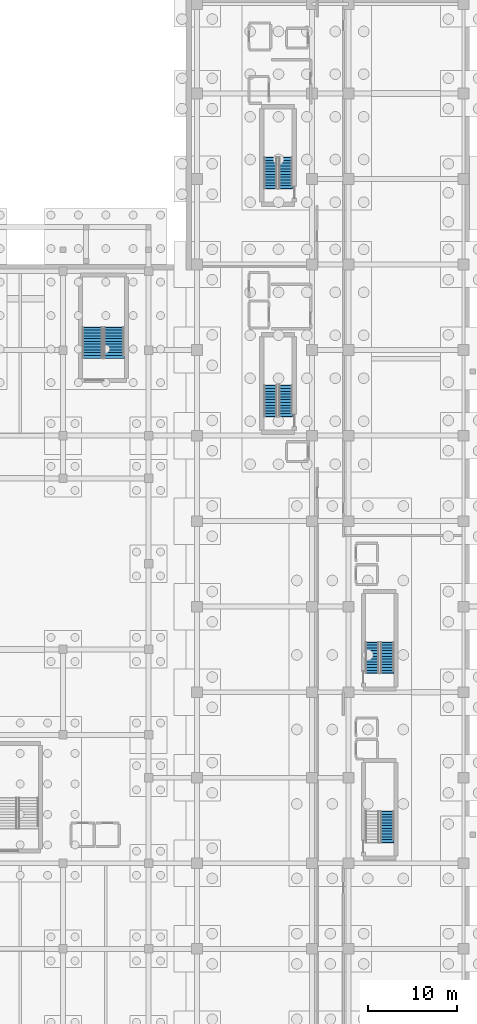
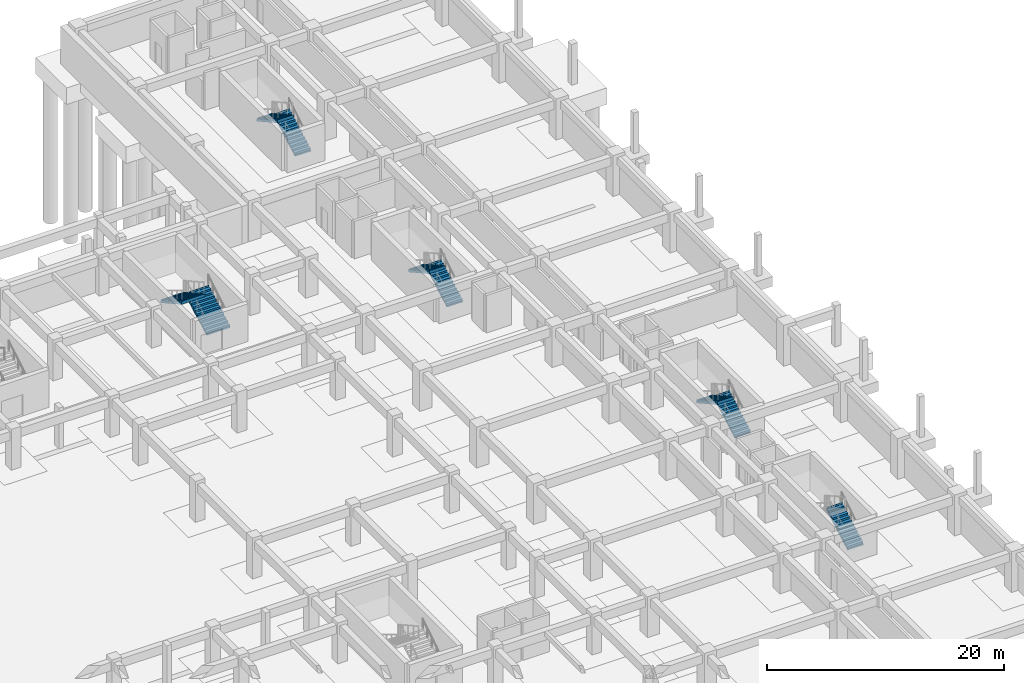
# One storey, part 25 of 39: 9 stair flights, 5 elements without a shape of their own.
"""IFC4 building model written with IfcOpenShell, lengths in metres."""

from ifc_helpers import new_model, si_unit, direction, frame, origin, place, context, subcontext, project, spatial, polyline, outline, extrude, material, layer, layer_set, type_object, element, aggregate, save


model = new_model("IFC4")

# Units and contexts
model_context = context("Model", 3, precision=1e-05, world=origin(), true_north=direction((0.0, 1.0)))
body_context = subcontext(model_context, "Body", "Model", "MODEL_VIEW")
ifc_project = project(units=[si_unit("LENGTHUNIT", "METRE"), si_unit("AREAUNIT", "SQUARE_METRE"), si_unit("VOLUMEUNIT", "CUBIC_METRE"), si_unit("PLANEANGLEUNIT", "RADIAN"), si_unit("MASSUNIT", "GRAM", prefix="KILO")], contexts=[model_context])

# Site, building, storey
site_placement = place(None, origin())
site = spatial("IfcSite", under=ifc_project, at=site_placement, CompositionType="ELEMENT")
building_placement = place(site_placement, origin())
building = spatial("IfcBuilding", under=site, at=building_placement, Name="Nakhvara Creek Congress Hotel", CompositionType="ELEMENT")
storey_placement = place(building_placement, frame((0.0, 0.0, -8.39990234375)))
storey = spatial("IfcBuildingStorey", under=building, at=storey_placement, Name="B2", CompositionType="ELEMENT", Elevation=-8.39990234375)

# Stair, stair flights
ifc_material = material(Name="Concrete C40/50", Category="concrete")
stair_type_1 = type_object("IfcStairType", Name="ST-CORE-160", PredefinedType="HALF_TURN_STAIR", material=ifc_material)
stair_1_placement = place(storey_placement, origin())
stair_1 = element("IfcStair", 1, at=stair_1_placement, inside=storey, type_object=stair_type_1, Name="B2 Protected Exit Stair ST01", PredefinedType="HALF_TURN_STAIR")
ifc_layer_1 = layer(ifc_material, 0.18994140625)
ifc_layer_set_1 = layer_set([ifc_layer_1], Name="Concrete C40/50")
stair_flight_type_1 = type_object("IfcStairFlightType", Name="SFL-RC-160", PredefinedType="STRAIGHT", material=ifc_layer_set_1)
stair_flight_1_placement = place(storey_placement, frame((159.3798828125, 78.93994140625, 0.0), z_axis=(0.0, 0.0, 1.0), x_axis=(0.0, 1.0, 0.0)))
stair_flight_1 = element("IfcStairFlight", 2, at=stair_flight_1_placement, type_object=stair_flight_type_1, Name="ST01 flight 1", NumberOfRisers=12, NumberOfTreads=11, PredefinedType="STRAIGHT", RiserHeight=0.175, TreadLength=0.315, context=body_context, shape_type="SweptSolid", body=[
    extrude(outline(polyline([(-0.048095703125, 0.0), (0.0, 0.0), (0.0, 0.175048828125), (0.31494140625, 0.175048828125), (0.31494140625, 0.35009765625), (0.6298828125, 0.35009765625), (0.6298828125, 0.52490234375), (0.945068359375, 0.52490234375), (0.945068359375, 0.699951171875), (1.260009765625, 0.699951171875), (1.260009765625, 0.875), (1.574951171875, 0.875), (1.574951171875, 1.050048828125), (1.889892578125, 1.050048828125), (1.889892578125, 1.22509765625), (2.205078125, 1.22509765625), (2.205078125, 1.39990234375), (2.52001953125, 1.39990234375), (2.52001953125, 1.574951171875), (2.8349609375, 1.574951171875), (2.8349609375, 1.75), (3.14990234375, 1.75), (3.14990234375, 1.925048828125), (3.465087890625, 1.925048828125), (3.465087890625, 2.10009765625), (3.51318359375, 2.10009765625), (3.51318359375, 1.9501953125), (3.465087890625, 1.75341796875), (0.038818359375, -0.14990234375), (-0.048095703125, -0.14990234375), (-0.048095703125, 0.0)])), frame((0.0, 0.77001953125, 0.0), z_axis=(0.0, -1.0, 0.0), x_axis=(1.0, 0.0, 0.0)), (0.0, 0.0, 1.0), 1.5400390625),
])
stair_flight_2_placement = place(storey_placement, frame((157.68994140625, 82.405029296875, 2.099853515625), z_axis=(0.0, 0.0, 1.0), x_axis=(0.0, -1.0, 0.0)))
stair_flight_2 = element("IfcStairFlight", 3, at=stair_flight_2_placement, type_object=stair_flight_type_1, Name="ST01 flight 2", NumberOfRisers=12, NumberOfTreads=11, PredefinedType="STRAIGHT", RiserHeight=0.175, TreadLength=0.315, context=body_context, shape_type="SweptSolid", body=[
    extrude(outline(polyline([(-0.048095703125, 0.0), (0.0, 0.0), (0.0, 0.175048828125), (0.31494140625, 0.175048828125), (0.31494140625, 0.35009765625), (0.6298828125, 0.35009765625), (0.6298828125, 0.52490234375), (0.945068359375, 0.52490234375), (0.945068359375, 0.699951171875), (1.260009765625, 0.699951171875), (1.260009765625, 0.875), (1.574951171875, 0.875), (1.574951171875, 1.050048828125), (1.889892578125, 1.050048828125), (1.889892578125, 1.22509765625), (2.205078125, 1.22509765625), (2.205078125, 1.39990234375), (2.52001953125, 1.39990234375), (2.52001953125, 1.574951171875), (2.8349609375, 1.574951171875), (2.8349609375, 1.75), (3.14990234375, 1.75), (3.14990234375, 1.925048828125), (3.465087890625, 1.925048828125), (3.465087890625, 2.10009765625), (3.51318359375, 2.10009765625), (3.51318359375, 1.9501953125), (3.465087890625, 1.75341796875), (0.038818359375, -0.14990234375), (-0.048095703125, -0.14990234375), (-0.048095703125, 0.0)])), frame((0.0, 0.77001953125, 0.0), z_axis=(0.0, -1.0, 0.0), x_axis=(1.0, 0.0, 0.0)), (0.0, 0.0, 1.0), 1.5400390625),
])
aggregate(stair_1, [stair_flight_1, stair_flight_2])

stair_2_placement = place(storey_placement, origin())
stair_2 = element("IfcStair", 4, at=stair_2_placement, inside=storey, type_object=stair_type_1, Name="B2 Protected Exit Stair ST02", PredefinedType="HALF_TURN_STAIR")
stair_flight_3_placement = place(storey_placement, frame((159.3798828125, 104.5400390625, 0.0), z_axis=(0.0, 0.0, 1.0), x_axis=(0.0, 1.0, 0.0)))
stair_flight_3 = element("IfcStairFlight", 5, at=stair_flight_3_placement, type_object=stair_flight_type_1, Name="ST02 flight 1", NumberOfRisers=12, NumberOfTreads=11, PredefinedType="STRAIGHT", RiserHeight=0.175, TreadLength=0.315, context=body_context, shape_type="SweptSolid", body=[
    extrude(outline(polyline([(-0.048095703125, 0.0), (0.0, 0.0), (0.0, 0.175048828125), (0.31494140625, 0.175048828125), (0.31494140625, 0.35009765625), (0.6298828125, 0.35009765625), (0.6298828125, 0.52490234375), (0.945068359375, 0.52490234375), (0.945068359375, 0.699951171875), (1.260009765625, 0.699951171875), (1.260009765625, 0.875), (1.574951171875, 0.875), (1.574951171875, 1.050048828125), (1.889892578125, 1.050048828125), (1.889892578125, 1.22509765625), (2.205078125, 1.22509765625), (2.205078125, 1.39990234375), (2.52001953125, 1.39990234375), (2.52001953125, 1.574951171875), (2.8349609375, 1.574951171875), (2.8349609375, 1.75), (3.14990234375, 1.75), (3.14990234375, 1.925048828125), (3.465087890625, 1.925048828125), (3.465087890625, 2.10009765625), (3.51318359375, 2.10009765625), (3.51318359375, 1.9501953125), (3.465087890625, 1.75341796875), (0.038818359375, -0.14990234375), (-0.048095703125, -0.14990234375), (-0.048095703125, 0.0)])), frame((0.0, 0.77001953125, 0.0), z_axis=(0.0, -1.0, 0.0), x_axis=(1.0, 0.0, 0.0)), (0.0, 0.0, 1.0), 1.5400390625),
])
stair_flight_4_placement = place(storey_placement, frame((157.68994140625, 108.0048828125, 2.099853515625), z_axis=(0.0, 0.0, 1.0), x_axis=(0.0, -1.0, 0.0)))
stair_flight_4 = element("IfcStairFlight", 6, at=stair_flight_4_placement, type_object=stair_flight_type_1, Name="ST02 flight 2", NumberOfRisers=12, NumberOfTreads=11, PredefinedType="STRAIGHT", RiserHeight=0.175, TreadLength=0.315, context=body_context, shape_type="SweptSolid", body=[
    extrude(outline(polyline([(-0.048095703125, 0.0), (0.0, 0.0), (0.0, 0.175048828125), (0.31494140625, 0.175048828125), (0.31494140625, 0.35009765625), (0.6298828125, 0.35009765625), (0.6298828125, 0.52490234375), (0.945068359375, 0.52490234375), (0.945068359375, 0.699951171875), (1.260009765625, 0.699951171875), (1.260009765625, 0.875), (1.574951171875, 0.875), (1.574951171875, 1.050048828125), (1.889892578125, 1.050048828125), (1.889892578125, 1.22509765625), (2.205078125, 1.22509765625), (2.205078125, 1.39990234375), (2.52001953125, 1.39990234375), (2.52001953125, 1.574951171875), (2.8349609375, 1.574951171875), (2.8349609375, 1.75), (3.14990234375, 1.75), (3.14990234375, 1.925048828125), (3.465087890625, 1.925048828125), (3.465087890625, 2.10009765625), (3.51318359375, 2.10009765625), (3.51318359375, 1.9501953125), (3.465087890625, 1.75341796875), (0.038818359375, -0.14990234375), (-0.048095703125, -0.14990234375), (-0.048095703125, 0.0)])), frame((0.0, 0.77001953125, 0.0), z_axis=(0.0, -1.0, 0.0), x_axis=(1.0, 0.0, 0.0)), (0.0, 0.0, 1.0), 1.5400390625),
])
aggregate(stair_2, [stair_flight_3, stair_flight_4])

# Stair, stair flight
stair_3_placement = place(storey_placement, origin())
stair_3 = element("IfcStair", 7, at=stair_3_placement, inside=storey, type_object=stair_type_1, Name="B2 Protected Exit Stair ST03", PredefinedType="HALF_TURN_STAIR")
stair_flight_5_placement = place(storey_placement, frame((170.780029296875, 31.139892578125, 0.0), z_axis=(0.0, 0.0, 1.0), x_axis=(0.0, 1.0, 0.0)))
stair_flight_5 = element("IfcStairFlight", 8, at=stair_flight_5_placement, type_object=stair_flight_type_1, Name="ST03 flight 1", NumberOfRisers=12, NumberOfTreads=11, PredefinedType="STRAIGHT", RiserHeight=0.175, TreadLength=0.315, context=body_context, shape_type="SweptSolid", body=[
    extrude(outline(polyline([(-0.048095703125, 0.0), (0.0, 0.0), (0.0, 0.175048828125), (0.31494140625, 0.175048828125), (0.31494140625, 0.35009765625), (0.6298828125, 0.35009765625), (0.6298828125, 0.52490234375), (0.945068359375, 0.52490234375), (0.945068359375, 0.699951171875), (1.260009765625, 0.699951171875), (1.260009765625, 0.875), (1.574951171875, 0.875), (1.574951171875, 1.050048828125), (1.889892578125, 1.050048828125), (1.889892578125, 1.22509765625), (2.205078125, 1.22509765625), (2.205078125, 1.39990234375), (2.52001953125, 1.39990234375), (2.52001953125, 1.574951171875), (2.8349609375, 1.574951171875), (2.8349609375, 1.75), (3.14990234375, 1.75), (3.14990234375, 1.925048828125), (3.465087890625, 1.925048828125), (3.465087890625, 2.10009765625), (3.51318359375, 2.10009765625), (3.51318359375, 1.9501953125), (3.465087890625, 1.75341796875), (0.038818359375, -0.14990234375), (-0.048095703125, -0.14990234375), (-0.048095703125, 0.0)])), frame((0.0, 0.77001953125, 0.0), z_axis=(0.0, -1.0, 0.0), x_axis=(1.0, 0.0, 0.0)), (0.0, 0.0, 1.0), 1.5400390625),
])
aggregate(stair_3, [stair_flight_5])

# Stair, stair flights
stair_4_placement = place(storey_placement, origin())
stair_4 = element("IfcStair", 9, at=stair_4_placement, inside=storey, type_object=stair_type_1, Name="B2 Protected Exit Stair ST04", PredefinedType="HALF_TURN_STAIR")
stair_flight_6_placement = place(storey_placement, frame((170.780029296875, 50.139892578125, 0.0), z_axis=(0.0, 0.0, 1.0), x_axis=(0.0, 1.0, 0.0)))
stair_flight_6 = element("IfcStairFlight", 10, at=stair_flight_6_placement, type_object=stair_flight_type_1, Name="ST04 flight 1", NumberOfRisers=12, NumberOfTreads=11, PredefinedType="STRAIGHT", RiserHeight=0.175, TreadLength=0.315, context=body_context, shape_type="SweptSolid", body=[
    extrude(outline(polyline([(-0.048095703125, 0.0), (0.0, 0.0), (0.0, 0.175048828125), (0.31494140625, 0.175048828125), (0.31494140625, 0.35009765625), (0.6298828125, 0.35009765625), (0.6298828125, 0.52490234375), (0.945068359375, 0.52490234375), (0.945068359375, 0.699951171875), (1.260009765625, 0.699951171875), (1.260009765625, 0.875), (1.574951171875, 0.875), (1.574951171875, 1.050048828125), (1.889892578125, 1.050048828125), (1.889892578125, 1.22509765625), (2.205078125, 1.22509765625), (2.205078125, 1.39990234375), (2.52001953125, 1.39990234375), (2.52001953125, 1.574951171875), (2.8349609375, 1.574951171875), (2.8349609375, 1.75), (3.14990234375, 1.75), (3.14990234375, 1.925048828125), (3.465087890625, 1.925048828125), (3.465087890625, 2.10009765625), (3.51318359375, 2.10009765625), (3.51318359375, 1.9501953125), (3.465087890625, 1.75341796875), (0.038818359375, -0.14990234375), (-0.048095703125, -0.14990234375), (-0.048095703125, 0.0)])), frame((0.0, 0.77001953125, 0.0), z_axis=(0.0, -1.0, 0.0), x_axis=(1.0, 0.0, 0.0)), (0.0, 0.0, 1.0), 1.5400390625),
])
stair_flight_7_placement = place(storey_placement, frame((169.090087890625, 53.60498046875, 2.099853515625), z_axis=(0.0, 0.0, 1.0), x_axis=(0.0, -1.0, 0.0)))
stair_flight_7 = element("IfcStairFlight", 11, at=stair_flight_7_placement, type_object=stair_flight_type_1, Name="ST04 flight 2", NumberOfRisers=12, NumberOfTreads=11, PredefinedType="STRAIGHT", RiserHeight=0.175, TreadLength=0.315, context=body_context, shape_type="SweptSolid", body=[
    extrude(outline(polyline([(-0.048095703125, 0.0), (0.0, 0.0), (0.0, 0.175048828125), (0.31494140625, 0.175048828125), (0.31494140625, 0.35009765625), (0.6298828125, 0.35009765625), (0.6298828125, 0.52490234375), (0.945068359375, 0.52490234375), (0.945068359375, 0.699951171875), (1.260009765625, 0.699951171875), (1.260009765625, 0.875), (1.574951171875, 0.875), (1.574951171875, 1.050048828125), (1.889892578125, 1.050048828125), (1.889892578125, 1.22509765625), (2.205078125, 1.22509765625), (2.205078125, 1.39990234375), (2.52001953125, 1.39990234375), (2.52001953125, 1.574951171875), (2.8349609375, 1.574951171875), (2.8349609375, 1.75), (3.14990234375, 1.75), (3.14990234375, 1.925048828125), (3.465087890625, 1.925048828125), (3.465087890625, 2.10009765625), (3.51318359375, 2.10009765625), (3.51318359375, 1.9501953125), (3.465087890625, 1.75341796875), (0.038818359375, -0.14990234375), (-0.048095703125, -0.14990234375), (-0.048095703125, 0.0)])), frame((0.0, 0.77001953125, 0.0), z_axis=(0.0, -1.0, 0.0), x_axis=(1.0, 0.0, 0.0)), (0.0, 0.0, 1.0), 1.5400390625),
])
aggregate(stair_4, [stair_flight_6, stair_flight_7])

stair_type_2 = type_object("IfcStairType", Name="ST-CORE-230", PredefinedType="HALF_TURN_STAIR", material=ifc_material)
stair_5_placement = place(storey_placement, origin())
stair_5 = element("IfcStair", 12, at=stair_5_placement, inside=storey, type_object=stair_type_2, Name="B2 Protected Exit Stair ST10", PredefinedType="HALF_TURN_STAIR")
ifc_layer_2 = layer(ifc_material, 0.219970703125)
ifc_layer_set_2 = layer_set([ifc_layer_2], Name="Concrete C40/50")
stair_flight_type_2 = type_object("IfcStairFlightType", Name="SFL-RC-230", PredefinedType="STRAIGHT", material=ifc_layer_set_2)
stair_flight_8_placement = place(storey_placement, frame((140.139892578125, 85.47998046875, 0.0), z_axis=(0.0, 0.0, 1.0), x_axis=(0.0, 1.0, 0.0)))
stair_flight_8 = element("IfcStairFlight", 13, at=stair_flight_8_placement, type_object=stair_flight_type_2, Name="ST10 flight 1", NumberOfRisers=12, NumberOfTreads=11, PredefinedType="STRAIGHT", RiserHeight=0.175, TreadLength=0.315, context=body_context, shape_type="SweptSolid", body=[
    extrude(outline(polyline([(-0.048095703125, 0.0), (0.0, 0.0), (0.0, 0.175048828125), (0.31494140625, 0.175048828125), (0.31494140625, 0.35009765625), (0.6298828125, 0.35009765625), (0.6298828125, 0.52490234375), (0.945068359375, 0.52490234375), (0.945068359375, 0.699951171875), (1.260009765625, 0.699951171875), (1.260009765625, 0.875), (1.574951171875, 0.875), (1.574951171875, 1.050048828125), (1.889892578125, 1.050048828125), (1.889892578125, 1.22509765625), (2.205078125, 1.22509765625), (2.205078125, 1.39990234375), (2.52001953125, 1.39990234375), (2.52001953125, 1.574951171875), (2.8349609375, 1.574951171875), (2.8349609375, 1.75), (3.14990234375, 1.75), (3.14990234375, 1.925048828125), (3.465087890625, 1.925048828125), (3.465087890625, 2.10009765625), (3.51318359375, 2.10009765625), (3.51318359375, 1.9501953125), (3.465087890625, 1.75341796875), (0.038818359375, -0.14990234375), (-0.048095703125, -0.14990234375), (-0.048095703125, 0.0)])), frame((0.0, 1.14013671875, 0.0), z_axis=(0.0, -1.0, 0.0), x_axis=(1.0, 0.0, 0.0)), (0.0, 0.0, 1.0), 2.280029296875),
])
stair_flight_9_placement = place(storey_placement, frame((137.7099609375, 88.945068359375, 2.099853515625), z_axis=(0.0, 0.0, 1.0), x_axis=(0.0, -1.0, 0.0)))
stair_flight_9 = element("IfcStairFlight", 14, at=stair_flight_9_placement, type_object=stair_flight_type_2, Name="ST10 flight 2", NumberOfRisers=12, NumberOfTreads=11, PredefinedType="STRAIGHT", RiserHeight=0.175, TreadLength=0.315, context=body_context, shape_type="SweptSolid", body=[
    extrude(outline(polyline([(-0.048095703125, 0.0), (0.0, 0.0), (0.0, 0.175048828125), (0.31494140625, 0.175048828125), (0.31494140625, 0.35009765625), (0.6298828125, 0.35009765625), (0.6298828125, 0.52490234375), (0.945068359375, 0.52490234375), (0.945068359375, 0.699951171875), (1.260009765625, 0.699951171875), (1.260009765625, 0.875), (1.574951171875, 0.875), (1.574951171875, 1.050048828125), (1.889892578125, 1.050048828125), (1.889892578125, 1.22509765625), (2.205078125, 1.22509765625), (2.205078125, 1.39990234375), (2.52001953125, 1.39990234375), (2.52001953125, 1.574951171875), (2.8349609375, 1.574951171875), (2.8349609375, 1.75), (3.14990234375, 1.75), (3.14990234375, 1.925048828125), (3.465087890625, 1.925048828125), (3.465087890625, 2.10009765625), (3.51318359375, 2.10009765625), (3.51318359375, 1.9501953125), (3.465087890625, 1.75341796875), (0.038818359375, -0.14990234375), (-0.048095703125, -0.14990234375), (-0.048095703125, 0.0)])), frame((0.0, 1.14013671875, 0.0), z_axis=(0.0, -1.0, 0.0), x_axis=(1.0, 0.0, 0.0)), (0.0, 0.0, 1.0), 2.280029296875),
])
aggregate(stair_5, [stair_flight_8, stair_flight_9])

save(model, "model.ifc")
